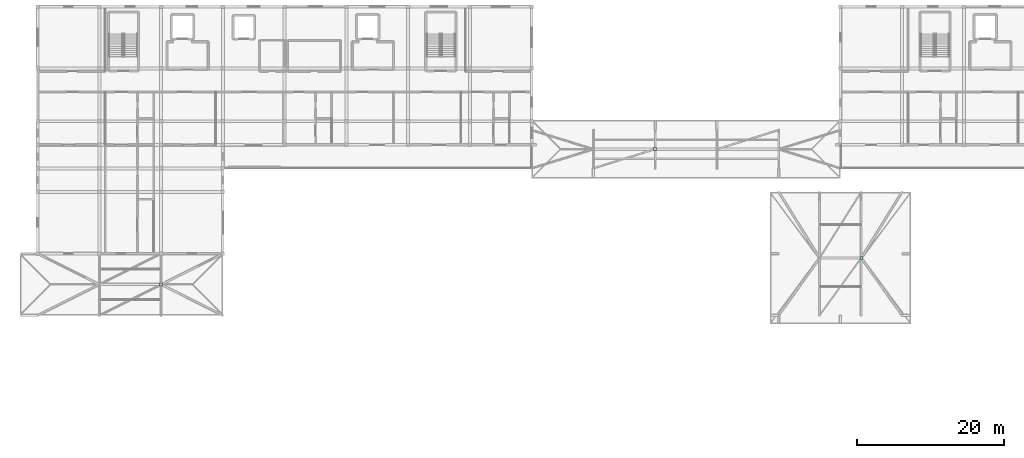
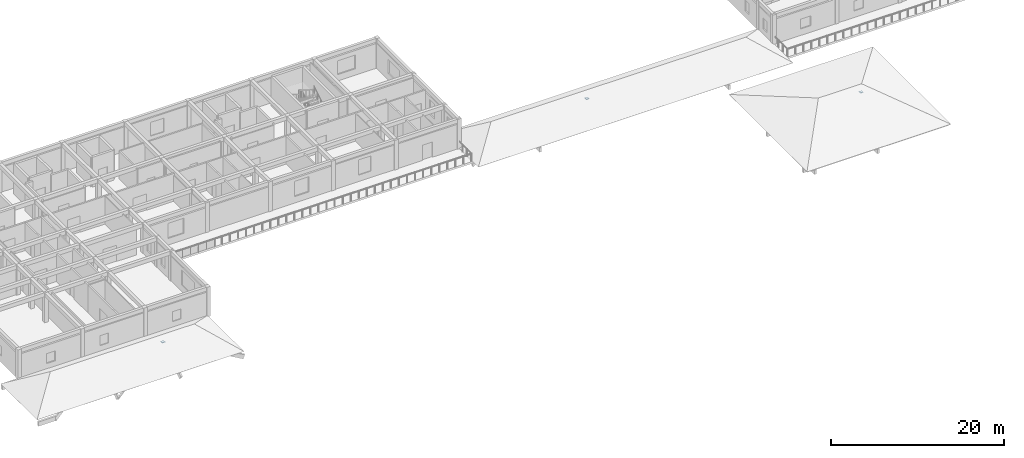
# One storey, part 8 of 26: 3 plates.
"""IFC4 building model written with IfcOpenShell, lengths in metres."""

from ifc_helpers import new_model, si_unit, direction, frame, origin, origin_2d, place, context, subcontext, project, spatial, rectangle, extrude, material, layer, layer_set, type_object, element, save


model = new_model("IFC4")

# Units and contexts
model_context = context("Model", 3, precision=1e-05, world=origin(), true_north=direction((0.0, 1.0)))
body_context = subcontext(model_context, "Body", "Model", "MODEL_VIEW")
ifc_project = project(units=[si_unit("LENGTHUNIT", "METRE"), si_unit("AREAUNIT", "SQUARE_METRE"), si_unit("VOLUMEUNIT", "CUBIC_METRE"), si_unit("PLANEANGLEUNIT", "RADIAN"), si_unit("MASSUNIT", "GRAM", prefix="KILO")], contexts=[model_context])

# Site, building, storey
site_placement = place(None, origin())
site = spatial("IfcSite", under=ifc_project, at=site_placement, CompositionType="ELEMENT")
building_placement = place(site_placement, origin())
building = spatial("IfcBuilding", under=site, at=building_placement, Name="Varncliffe General Hospital", CompositionType="ELEMENT")
storey_placement = place(building_placement, frame((0.0, 0.0, 28.800048828125)))
storey = spatial("IfcBuildingStorey", under=building, at=storey_placement, Name="L06", CompositionType="ELEMENT", Elevation=28.800048828125)

# Plates
ifc_material = material(Name="Steel S355 (CSA G40.21 350W)", Category="steel")
ifc_layer_1 = layer(ifc_material, 0.01611328125)
ifc_layer_set_1 = layer_set([ifc_layer_1], Name="Steel S355 (CSA G40.21 350W)")
plate_type_1 = type_object("IfcPlateType", Name="Steel Gusset and End Plate GP14 (16mm)", PredefinedType="SHEET", material=ifc_layer_set_1)
for number, where, z_axis, x_axis, name in (
    (1, (112.030029296875, 90.60009765625, 1.501220703125), (0.0, 0.0, 1.0), (1.0, 0.0, 0.0), "L06 RF-V4-PH Lateral Brace Gusset Plate 1"),
    (2, (16.800048828125, 87.0, 1.800048828125), (0.0, 0.0, 1.0), (1.0, 0.0, 0.0), "L06 RF-V6-SW1 Lateral Brace Gusset Plate 1"),
):
    element("IfcPlate", number, at=place(storey_placement, frame(where, z_axis=z_axis, x_axis=x_axis)), inside=storey, type_object=plate_type_1, Name=name, PredefinedType="SHEET", context=body_context, shape_type="SweptSolid", body=[
        extrude(rectangle(XDim=0.3798828125, YDim=0.3798828125, at=origin_2d()), origin(), (0.0, 0.0, 1.0), 0.01611328125),
    ])
ifc_layer_2 = layer(ifc_material, 0.031982421875)
ifc_layer_set_2 = layer_set([ifc_layer_2], Name="Steel S355 (CSA G40.21 350W)")
plate_type_2 = type_object("IfcPlateType", Name="Steel Gusset and End Plate GP16 (32mm)", PredefinedType="SHEET", material=ifc_layer_set_2)
plate_placement = place(storey_placement, frame((84.0, 105.39990234375, 1.42724609375), z_axis=(0.0, 0.0, 1.0), x_axis=(1.0, 0.0, 0.0)))
element("IfcPlate", 3, at=plate_placement, inside=storey, type_object=plate_type_2, Name="L06 RF-V6-LINK Lateral Brace Gusset Plate 1", PredefinedType="SHEET", context=body_context, shape_type="SweptSolid", body=[
    extrude(rectangle(XDim=0.39990234375, YDim=0.39990234375, at=origin_2d()), origin(), (0.0, 0.0, 1.0), 0.031982421875),
])

save(model, "model.ifc")
